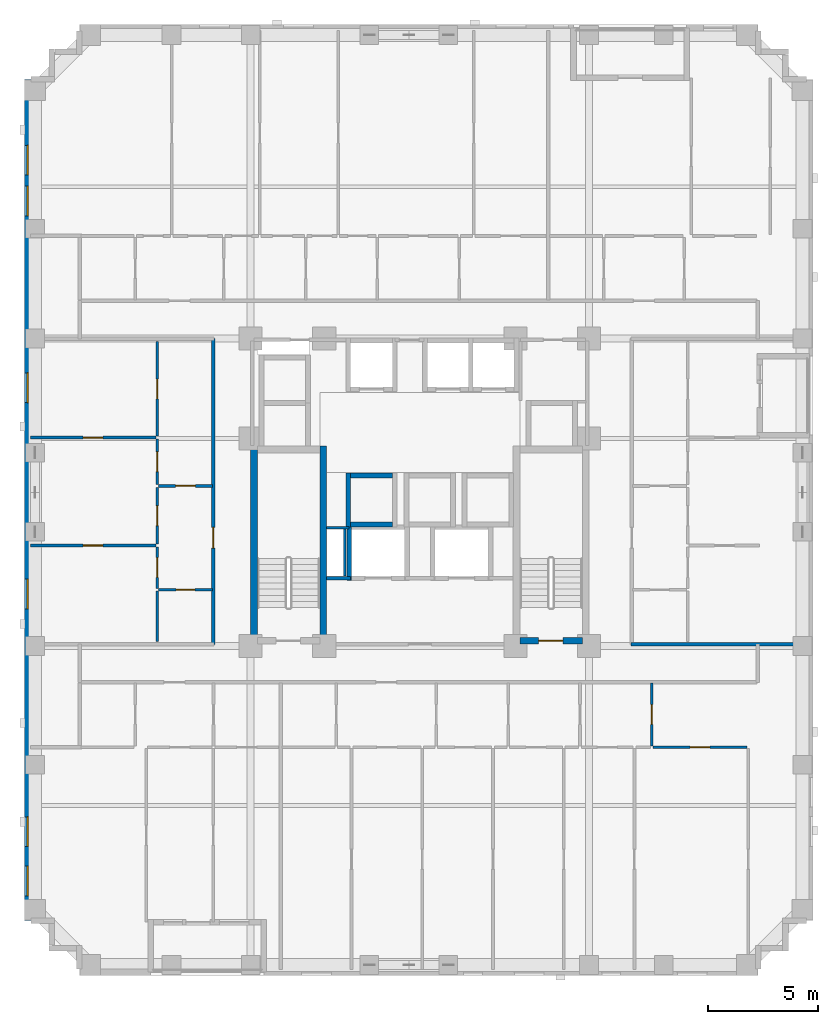
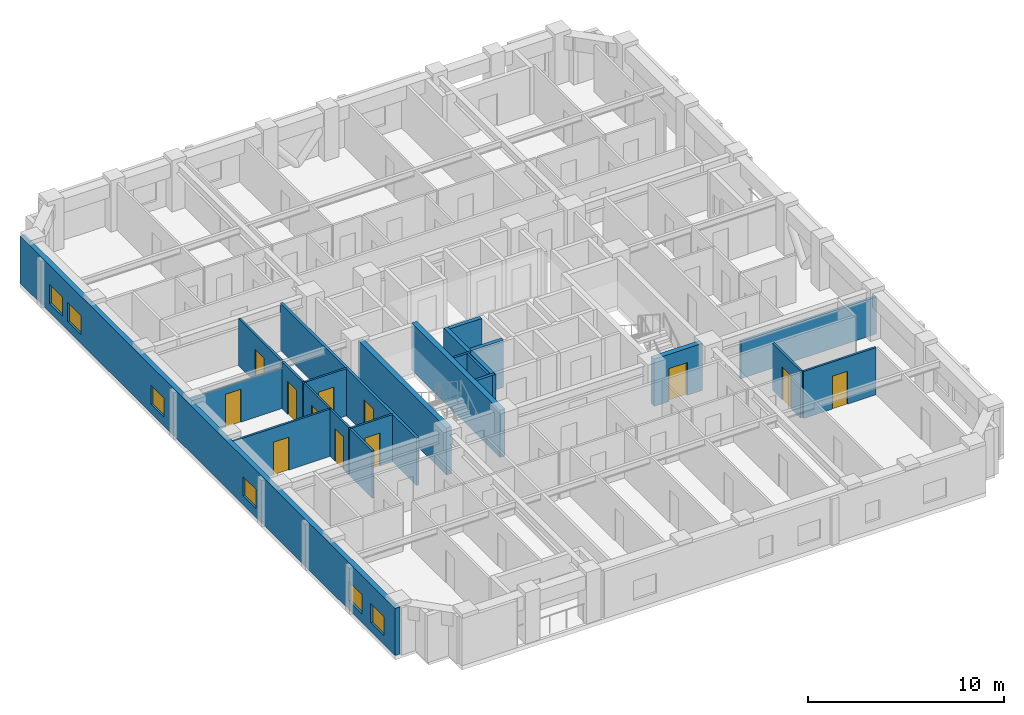
# One storey, part 4 of 12: 24 walls, 12 doors, 6 windows, 18 openings.
"""IFC4 building model written with IfcOpenShell, lengths in metres."""

import ifcopenshell
import ifcopenshell.guid

model = None  # the IFC model being written
_history = None  # IfcOwnerHistory: only IFC2X3 demands one
_inside = {}  # id of a spatial element -> (the spatial element, [elements in it])
_under = {}  # id of a project, library or spatial element -> (it, [spatial elements below it])
_declared = {}  # id of a project -> (the project, [libraries it declares])
_typed = {}  # id of a type object -> (the type object, [elements of that type])
_made_of = {}  # id of a material, layer set ... -> (it, [elements and type objects made of it])


def new_model(schema):
    """Start an empty IFC model of exactly this schema.

    Asked for "IFC4X3", IfcOpenShell would pick the latest addendum, in which some entities
    have other attributes; the version numbers below select the first issue.
    IFC2X3 requires an IfcOwnerHistory on every rooted entity: one is made here for all.
    """
    global model, _history
    if schema == "IFC4X3":
        model = ifcopenshell.file(schema_version=(4, 3, 0, 0))
    else:
        model = ifcopenshell.file(schema=schema)
    _inside.clear()
    _under.clear()
    _declared.clear()
    _typed.clear()
    _made_of.clear()
    _history = None
    if model.schema == "IFC2X3":
        org = make("IfcOrganization", Name="unknown")
        user = make(
            "IfcPersonAndOrganization",
            ThePerson=make("IfcPerson", FamilyName="unknown"),
            TheOrganization=org,
        )
        app = make(
            "IfcApplication",
            ApplicationDeveloper=org,
            Version="unknown",
            ApplicationFullName="unknown",
            ApplicationIdentifier="unknown",
        )
        _history = make(
            "IfcOwnerHistory",
            OwningUser=user,
            OwningApplication=app,
            ChangeAction="ADDED",
            CreationDate=0,
        )
    return model


def make(cls, **values):
    """One entity of the class cls with the attributes given. An attribute that is None is left unset."""
    return model.create_entity(
        cls, **{name: value for name, value in values.items() if value is not None}
    )


def rooted(cls, **values):
    """An entity with a GlobalId (a new one), such as an element, a storey or a relation."""
    return make(cls, GlobalId=ifcopenshell.guid.new(), OwnerHistory=_history, **values)


def si_unit(unit_type, name, prefix=None):
    """IfcSIUnit, for example si_unit("LENGTHUNIT", "METRE", prefix="MILLI")."""
    return make("IfcSIUnit", UnitType=unit_type, Prefix=prefix, Name=name)


def derived_unit(unit_type, elements):
    """IfcDerivedUnit: a product of units, each with its exponent."""
    return make(
        "IfcDerivedUnit",
        Elements=[
            make("IfcDerivedUnitElement", Unit=unit, Exponent=power)
            for unit, power in elements
        ],
        UnitType=unit_type,
    )


def assignment(units):
    """IfcUnitAssignment: the units of a project."""
    return None if units is None else make("IfcUnitAssignment", Units=units)


def point(xyz):
    """IfcCartesianPoint."""
    return None if xyz is None else make("IfcCartesianPoint", Coordinates=xyz)


def direction(xyz):
    """IfcDirection."""
    return None if xyz is None else make("IfcDirection", DirectionRatios=xyz)


def frame(location, z_axis=None, x_axis=None):
    """IfcAxis2Placement3D, a coordinate frame: its origin and axes. An axis left out is left unset."""
    return make(
        "IfcAxis2Placement3D",
        Location=point(location),
        Axis=direction(z_axis),
        RefDirection=direction(x_axis),
    )


def frame_2d(location, x_axis=None):
    """IfcAxis2Placement2D, a coordinate frame in the plane: its origin and x axis."""
    return make(
        "IfcAxis2Placement2D", Location=point(location), RefDirection=direction(x_axis)
    )


def origin():
    """The frame at (0, 0, 0) with its axes left unset."""
    return frame((0.0, 0.0, 0.0))


def place(relative_to, where):
    """IfcLocalPlacement: puts the frame where relative to a parent placement (None: the world)."""
    return make(
        "IfcLocalPlacement", PlacementRelTo=relative_to, RelativePlacement=where
    )


def context(
    kind, dimensions, precision=None, world=None, true_north=None, identifier=None
):
    """IfcGeometricRepresentationContext, for example the 3D "Model" context."""
    return make(
        "IfcGeometricRepresentationContext",
        ContextIdentifier=identifier,
        ContextType=kind,
        CoordinateSpaceDimension=dimensions,
        Precision=precision,
        WorldCoordinateSystem=world,
        TrueNorth=true_north,
    )


def subcontext(parent, identifier, kind, view, scale=None):
    """IfcGeometricRepresentationSubContext, for example "Body" below "Model"."""
    return make(
        "IfcGeometricRepresentationSubContext",
        ContextIdentifier=identifier,
        ContextType=kind,
        ParentContext=parent,
        TargetScale=scale,
        TargetView=view,
    )


def project(units=None, contexts=None):
    """IfcProject with its units and contexts."""
    return rooted(
        "IfcProject",
        Name="project",
        RepresentationContexts=contexts,
        UnitsInContext=assignment(units),
    )


def spatial(cls, under=None, at=None, **own):
    """A site, building, storey or space (cls), placed at a placement, below another one or the project."""
    s = rooted(cls, ObjectPlacement=at, **own)
    if under is not None:
        _under.setdefault(under.id(), (under, []))[1].append(s)
    return s


def profile(cls, at=None, kind="AREA", **sizes):
    """A parametric profile (cls). Its sizes go by their IFC names, for example OverallWidth=200.0."""
    return make(cls, ProfileType=kind, Position=at, **sizes)


def rectangle(**sizes):
    """IfcRectangleProfileDef."""
    return profile("IfcRectangleProfileDef", **sizes)


def extrude(swept, where, along, depth):
    """IfcExtrudedAreaSolid: the profile swept, set in the frame where, extruded along a direction by depth."""
    return make(
        "IfcExtrudedAreaSolid",
        SweptArea=swept,
        Position=where,
        ExtrudedDirection=direction(along),
        Depth=depth,
    )


def shape(context_of_items, identifier, shape_type, items):
    """IfcShapeRepresentation: the items that make up one representation, for example the "Body"."""
    return make(
        "IfcShapeRepresentation",
        ContextOfItems=context_of_items,
        RepresentationIdentifier=identifier,
        RepresentationType=shape_type,
        Items=items,
    )


def material(Name=None, Category=None):
    """IfcMaterial."""
    return make("IfcMaterial", Name=Name, Category=Category)


def layer(
    of_material, thickness, ventilated=None, Name=None, Category=None, Priority=None
):
    """IfcMaterialLayer: one layer of a wall or slab, of a material (None: an air gap)."""
    return make(
        "IfcMaterialLayer",
        Material=of_material,
        LayerThickness=thickness,
        IsVentilated=ventilated,
        Name=Name,
        Category=Category,
        Priority=Priority,
    )


def layer_set(layers, Name=None):
    """IfcMaterialLayerSet."""
    return make("IfcMaterialLayerSet", MaterialLayers=layers, LayerSetName=Name)


def made_of(thing, what):
    """Note that an element or type object is made of a material, layer set ...; save() writes the relation."""
    if what is not None:
        _made_of.setdefault(what.id(), (what, []))[1].append(thing)
    return thing


def type_object(cls, material=None, **own):
    """A type object (cls), such as IfcWallType, which elements share."""
    return made_of(rooted(cls, **own), material)


def element(
    cls,
    number,
    at=None,
    inside=None,
    cuts=None,
    type_object=None,
    material=None,
    context=None,
    identifier="Body",
    shape_type=None,
    held_by="IfcProductDefinitionShape",
    body=None,
    shapes=None,
    **own,
):
    """One element of the class cls, such as IfcWall. Its Tag is "e" and its number.

    at: its placement. inside: the storey or other place that contains it. cuts: it is an
    opening in that element (IfcRelVoidsElement). A single representation is given by context,
    identifier, shape_type and body (its items); several are given by shapes. held_by: the class
    of the entity that holds the representations. save() writes the other relations.
    """
    e = rooted(cls, Tag="e%d" % number, ObjectPlacement=at, **own)
    if body is not None:
        shapes = [shape(context, identifier, shape_type, body)]
    if shapes is not None:
        e.Representation = make(held_by, Representations=shapes)
    if inside is not None:
        _inside.setdefault(inside.id(), (inside, []))[1].append(e)
    if cuts is not None:
        rooted(
            "IfcRelVoidsElement", RelatingBuildingElement=cuts, RelatedOpeningElement=e
        )
    if type_object is not None:
        _typed.setdefault(type_object.id(), (type_object, []))[1].append(e)
    return made_of(e, material)


def fill(opening, filler):
    """IfcRelFillsElement: the door or window that sits in an opening."""
    return rooted(
        "IfcRelFillsElement",
        RelatingOpeningElement=opening,
        RelatedBuildingElement=filler,
    )


def aggregate(whole, parts):
    """IfcRelAggregates: a whole, such as a stair, and the parts it consists of."""
    return rooted("IfcRelAggregates", RelatingObject=whole, RelatedObjects=parts)


def save(model, path):
    """Write the relations noted so far, then the file.

    IfcRelAggregates (storeys below a building ...), IfcRelContainedInSpatialStructure (elements
    in a storey), IfcRelDefinesByType, IfcRelAssociatesMaterial and IfcRelDeclares: one each for
    every whole, place, type object, material and project.
    """
    for whole, parts in _under.values():
        aggregate(whole, parts)
    for where, things in _inside.values():
        rooted(
            "IfcRelContainedInSpatialStructure",
            RelatedElements=things,
            RelatingStructure=where,
        )
    for kind, things in _typed.values():
        rooted("IfcRelDefinesByType", RelatedObjects=things, RelatingType=kind)
    for what, things in _made_of.values():
        rooted("IfcRelAssociatesMaterial", RelatedObjects=things, RelatingMaterial=what)
    for by, libraries in _declared.values():
        rooted("IfcRelDeclares", RelatingContext=by, RelatedDefinitions=libraries)
    model.write(path)


model = new_model("IFC4")

# Units and contexts
model_context = context("Model", 3, precision=1e-05, world=origin(), true_north=direction((0.0, 1.0)))
body_context = subcontext(model_context, "Body", "Model", "MODEL_VIEW")
ifc_project = project(units=[si_unit("LENGTHUNIT", "METRE"), si_unit("AREAUNIT", "SQUARE_METRE"), si_unit("VOLUMEUNIT", "CUBIC_METRE"), si_unit("PLANEANGLEUNIT", "RADIAN"), si_unit("MASSUNIT", "GRAM", prefix="KILO"), derived_unit("THERMALTRANSMITTANCEUNIT", [(si_unit("MASSUNIT", "GRAM", prefix="KILO"), 1), (si_unit("TIMEUNIT", "SECOND"), -3), (si_unit("THERMODYNAMICTEMPERATUREUNIT", "KELVIN"), -1)])], contexts=[model_context])

# Site, building, storey
site_placement = place(None, origin())
site = spatial("IfcSite", under=ifc_project, at=site_placement, CompositionType="ELEMENT")
building_placement = place(site_placement, origin())
building = spatial("IfcBuilding", under=site, at=building_placement, Name="Korrvale Station Residences", CompositionType="ELEMENT")
storey_placement = place(building_placement, frame((0.0, 0.0, 84.699951171875)))
storey = spatial("IfcBuildingStorey", under=building, at=storey_placement, Name="L23", CompositionType="ELEMENT", Elevation=84.699951171875)

# Walls
ifc_material_1 = material(Name="Concrete C60/75", Category="concrete")
ifc_layer_1 = layer(ifc_material_1, 0.300048828125, Name="Concrete C60/75")
ifc_layer_set_1 = layer_set([ifc_layer_1], Name="Concrete C60/75")
wall_type_1 = type_object("IfcWallType", Name="WAL-CORE-300-C60", PredefinedType="SHEAR", material=ifc_layer_set_1)
for number, where, z_axis, x_axis, name in (
    (1, (17.949951171875, 15.10009765625, 0.0), (0.0, 0.0, 1.0), (0.0, 1.0, 0.0), "L23 ST-1 Core Shear Wall West"),
    (2, (21.10009765625, 15.10009765625, 0.0), (0.0, 0.0, 1.0), (0.0, 1.0, 0.0), "L23 ST-1 Core Shear Wall East"),
):
    element("IfcWall", number, at=place(storey_placement, frame(where, z_axis=z_axis, x_axis=x_axis)), inside=storey, type_object=wall_type_1, Name=name, PredefinedType="SHEAR", context=body_context, shape_type="SweptSolid", body=[
        extrude(rectangle(XDim=9.0, YDim=0.300048828125, at=frame_2d((4.5, 0.0))), origin(), (0.0, 0.0, 1.0), 2.93994140625),
    ])

# Wall, opening, door
wall_1_placement = place(storey_placement, frame((30.050048828125, 15.25, 0.0), z_axis=(0.0, 0.0, 1.0), x_axis=(1.0, 0.0, 0.0)))
wall_1 = element("IfcWall", 3, at=wall_1_placement, inside=storey, type_object=wall_type_1, Name="L23 ST-2 Core Shear Wall South", PredefinedType="SHEAR", context=body_context, shape_type="SweptSolid", body=[
    extrude(rectangle(XDim=2.849853515625, YDim=0.300048828125, at=frame_2d((1.4248046875, 0.0))), origin(), (0.0, 0.0, 1.0), 2.93994140625),
])
opening_1_placement = place(wall_1_placement, frame((0.860107421875, 0.0, 0.0)))
opening_1 = element("IfcOpeningElement", 4, at=opening_1_placement, cuts=wall_1, Name="Opening SD-1100", PredefinedType="OPENING", context=body_context, shape_type="SweptSolid", body=[
    extrude(rectangle(XDim=1.10009765625, YDim=2.050048828125, at=frame_2d((0.550048828125, 1.02490234375))), frame((0.0, 0.16015625, 0.0), z_axis=(0.0, -1.0, 0.0), x_axis=(1.0, 0.0, 0.0)), (0.0, 0.0, 1.0), 0.320068359375),
])
ifc_material_2 = material(Name="Hollow-metal fire-rated stair door with closer", Category="steel")
door_type_1 = type_object("IfcDoorType", Name="DR-STAIR-1100", OperationType="NOTDEFINED", PredefinedType="DOOR", material=ifc_material_2)
door_1_placement = place(opening_1_placement, origin())
door_1 = element("IfcDoor", 5, at=door_1_placement, inside=storey, type_object=door_type_1, Name="L23 ST-2 Exit Stair Door", OperationType="SINGLE_SWING_RIGHT", OverallHeight=2.050048828125, OverallWidth=1.10009765625, PredefinedType="DOOR", context=body_context, shape_type="SweptSolid", body=[
    extrude(rectangle(XDim=1.10009765625, YDim=2.050048828125, at=frame_2d((0.550048828125, 1.02490234375))), frame((0.0, 0.02490234375, 0.0), z_axis=(0.0, -1.0, 0.0), x_axis=(1.0, 0.0, 0.0)), (0.0, 0.0, 1.0), 0.050048828125),
])
fill(opening_1, door_1)

# Wall, openings, windows
ifc_material_3 = material(Name="Precast concrete C45/55", Category="concrete")
ifc_layer_2 = layer(ifc_material_3, 0.300048828125, Name="Precast concrete C45/55")
ifc_layer_set_2 = layer_set([ifc_layer_2], Name="Precast concrete C45/55")
wall_type_2 = type_object("IfcWallType", Name="WAL-EXT-PC300", PredefinedType="SOLIDWALL", material=ifc_layer_set_2)
wall_2_placement = place(storey_placement, frame((7.64990234375, 2.5, 0.0), z_axis=(0.0, 0.0, 1.0), x_axis=(0.0, 1.0, 0.0)))
wall_2 = element("IfcWall", 6, at=wall_2_placement, inside=storey, type_object=wall_type_2, Name="L23 West Exterior Precast Wall 1", PredefinedType="SOLIDWALL", context=body_context, shape_type="SweptSolid", body=[
    extrude(rectangle(XDim=38.300048828125, YDim=0.300048828125, at=frame_2d((19.14990234375, 0.0))), origin(), (0.0, 0.0, 1.0), 2.93994140625),
])
opening_2_placement = place(wall_2_placement, frame((3.3798828125, 0.0, 0.550048828125)))
opening_2 = element("IfcOpeningElement", 7, at=opening_2_placement, cuts=wall_2, Name="Opening W-10", PredefinedType="OPENING", context=body_context, shape_type="SweptSolid", body=[
    extrude(rectangle(XDim=1.35009765625, YDim=1.199951171875, at=frame_2d((0.675048828125, 0.60009765625))), frame((0.0, 0.16015625, 0.0), z_axis=(0.0, -1.0, 0.0), x_axis=(1.0, 0.0, 0.0)), (0.0, 0.0, 1.0), 0.320068359375),
])
opening_3_placement = place(wall_2_placement, frame((1.135009765625, 0.0, 0.550048828125)))
opening_3 = element("IfcOpeningElement", 8, at=opening_3_placement, cuts=wall_2, Name="Opening W-10", PredefinedType="OPENING", context=body_context, shape_type="SweptSolid", body=[
    extrude(rectangle(XDim=1.35009765625, YDim=1.199951171875, at=frame_2d((0.675048828125, 0.60009765625))), frame((0.0, 0.16015625, 0.0), z_axis=(0.0, -1.0, 0.0), x_axis=(1.0, 0.0, 0.0)), (0.0, 0.0, 1.0), 0.320068359375),
])
opening_4_placement = place(wall_2_placement, frame((33.946044921875, 0.0, 0.550048828125)))
opening_4 = element("IfcOpeningElement", 9, at=opening_4_placement, cuts=wall_2, Name="Opening W-10", PredefinedType="OPENING", context=body_context, shape_type="SweptSolid", body=[
    extrude(rectangle(XDim=1.35009765625, YDim=1.199951171875, at=frame_2d((0.675048828125, 0.60009765625))), frame((0.0, 0.16015625, 0.0), z_axis=(0.0, -1.0, 0.0), x_axis=(1.0, 0.0, 0.0)), (0.0, 0.0, 1.0), 0.320068359375),
])
opening_5_placement = place(wall_2_placement, frame((32.0849609375, 0.0, 0.550048828125)))
opening_5 = element("IfcOpeningElement", 10, at=opening_5_placement, cuts=wall_2, Name="Opening W-10", PredefinedType="OPENING", context=body_context, shape_type="SweptSolid", body=[
    extrude(rectangle(XDim=1.35009765625, YDim=1.199951171875, at=frame_2d((0.675048828125, 0.60009765625))), frame((0.0, 0.16015625, 0.0), z_axis=(0.0, -1.0, 0.0), x_axis=(1.0, 0.0, 0.0)), (0.0, 0.0, 1.0), 0.320068359375),
])
opening_6_placement = place(wall_2_placement, frame((14.194091796875, 0.0, 0.550048828125)))
opening_6 = element("IfcOpeningElement", 11, at=opening_6_placement, cuts=wall_2, Name="Opening W-10", PredefinedType="OPENING", context=body_context, shape_type="SweptSolid", body=[
    extrude(rectangle(XDim=1.35009765625, YDim=1.199951171875, at=frame_2d((0.675048828125, 0.60009765625))), frame((0.0, 0.16015625, 0.0), z_axis=(0.0, -1.0, 0.0), x_axis=(1.0, 0.0, 0.0)), (0.0, 0.0, 1.0), 0.320068359375),
])
opening_7_placement = place(wall_2_placement, frame((23.58203125, 0.0, 0.550048828125)))
opening_7 = element("IfcOpeningElement", 12, at=opening_7_placement, cuts=wall_2, Name="Opening W-10", PredefinedType="OPENING", context=body_context, shape_type="SweptSolid", body=[
    extrude(rectangle(XDim=1.35009765625, YDim=1.199951171875, at=frame_2d((0.675048828125, 0.60009765625))), frame((0.0, 0.16015625, 0.0), z_axis=(0.0, -1.0, 0.0), x_axis=(1.0, 0.0, 0.0)), (0.0, 0.0, 1.0), 0.320068359375),
])
ifc_material_4 = material(Name="Thermally broken aluminium frame with triple low-e glazing", Category="aluminium")
window_type = type_object("IfcWindowType", Name="WIN-W10", PartitioningType="SINGLE_PANEL", PredefinedType="WINDOW", material=ifc_material_4)
window_1_placement = place(opening_2_placement, origin())
window_1 = element("IfcWindow", 13, at=window_1_placement, inside=storey, type_object=window_type, Name="L23 Punched Window 01", OverallHeight=1.199951171875, OverallWidth=1.35009765625, PartitioningType="SINGLE_PANEL", PredefinedType="WINDOW", context=body_context, shape_type="SweptSolid", body=[
    extrude(rectangle(XDim=1.35009765625, YDim=1.199951171875, at=frame_2d((0.675048828125, 0.60009765625))), frame((0.0, 0.030029296875, 0.0), z_axis=(0.0, -1.0, 0.0), x_axis=(1.0, 0.0, 0.0)), (0.0, 0.0, 1.0), 0.06005859375),
])
fill(opening_2, window_1)
window_2_placement = place(opening_3_placement, origin())
window_2 = element("IfcWindow", 14, at=window_2_placement, inside=storey, type_object=window_type, Name="L23 Punched Window 02", OverallHeight=1.199951171875, OverallWidth=1.35009765625, PartitioningType="SINGLE_PANEL", PredefinedType="WINDOW", context=body_context, shape_type="SweptSolid", body=[
    extrude(rectangle(XDim=1.35009765625, YDim=1.199951171875, at=frame_2d((0.675048828125, 0.60009765625))), frame((0.0, 0.030029296875, 0.0), z_axis=(0.0, -1.0, 0.0), x_axis=(1.0, 0.0, 0.0)), (0.0, 0.0, 1.0), 0.06005859375),
])
fill(opening_3, window_2)
window_3_placement = place(opening_4_placement, origin())
window_3 = element("IfcWindow", 15, at=window_3_placement, inside=storey, type_object=window_type, Name="L23 Punched Window 12", OverallHeight=1.199951171875, OverallWidth=1.35009765625, PartitioningType="SINGLE_PANEL", PredefinedType="WINDOW", context=body_context, shape_type="SweptSolid", body=[
    extrude(rectangle(XDim=1.35009765625, YDim=1.199951171875, at=frame_2d((0.675048828125, 0.60009765625))), frame((0.0, 0.030029296875, 0.0), z_axis=(0.0, -1.0, 0.0), x_axis=(1.0, 0.0, 0.0)), (0.0, 0.0, 1.0), 0.06005859375),
])
fill(opening_4, window_3)
window_4_placement = place(opening_5_placement, origin())
window_4 = element("IfcWindow", 16, at=window_4_placement, inside=storey, type_object=window_type, Name="L23 Punched Window 13", OverallHeight=1.199951171875, OverallWidth=1.35009765625, PartitioningType="SINGLE_PANEL", PredefinedType="WINDOW", context=body_context, shape_type="SweptSolid", body=[
    extrude(rectangle(XDim=1.35009765625, YDim=1.199951171875, at=frame_2d((0.675048828125, 0.60009765625))), frame((0.0, 0.030029296875, 0.0), z_axis=(0.0, -1.0, 0.0), x_axis=(1.0, 0.0, 0.0)), (0.0, 0.0, 1.0), 0.06005859375),
])
fill(opening_5, window_4)
window_5_placement = place(opening_6_placement, origin())
window_5 = element("IfcWindow", 17, at=window_5_placement, inside=storey, type_object=window_type, Name="L23 Punched Window 19", OverallHeight=1.199951171875, OverallWidth=1.35009765625, PartitioningType="SINGLE_PANEL", PredefinedType="WINDOW", context=body_context, shape_type="SweptSolid", body=[
    extrude(rectangle(XDim=1.35009765625, YDim=1.199951171875, at=frame_2d((0.675048828125, 0.60009765625))), frame((0.0, 0.030029296875, 0.0), z_axis=(0.0, -1.0, 0.0), x_axis=(1.0, 0.0, 0.0)), (0.0, 0.0, 1.0), 0.06005859375),
])
fill(opening_6, window_5)
window_6_placement = place(opening_7_placement, origin())
window_6 = element("IfcWindow", 18, at=window_6_placement, inside=storey, type_object=window_type, Name="L23 Punched Window 20", OverallHeight=1.199951171875, OverallWidth=1.35009765625, PartitioningType="SINGLE_PANEL", PredefinedType="WINDOW", context=body_context, shape_type="SweptSolid", body=[
    extrude(rectangle(XDim=1.35009765625, YDim=1.199951171875, at=frame_2d((0.675048828125, 0.60009765625))), frame((0.0, 0.030029296875, 0.0), z_axis=(0.0, -1.0, 0.0), x_axis=(1.0, 0.0, 0.0)), (0.0, 0.0, 1.0), 0.06005859375),
])
fill(opening_7, window_6)

# Walls
ifc_material_5 = material(Name="Acoustic steel-stud gypsum board partition", Category="steel")
ifc_layer_3 = layer(ifc_material_5, 0.1201171875, Name="Acoustic steel-stud gypsum board partition")
ifc_layer_set_3 = layer_set([ifc_layer_3], Name="Acoustic steel-stud gypsum board partition")
wall_type_3 = type_object("IfcWallType", Name="WAL-PART-125", PredefinedType="PARTITIONING", material=ifc_layer_set_3)
wall_3_placement = place(storey_placement, frame((22.080078125, 18.199951171875, 0.0), z_axis=(0.0, 0.0, 1.0), x_axis=(0.0, 1.0, 0.0)))
element("IfcWall", 19, at=wall_3_placement, inside=storey, type_object=wall_type_3, Name="L23 Core Partition CW-RSWT", PredefinedType="PARTITIONING", context=body_context, shape_type="SweptSolid", body=[
    extrude(rectangle(XDim=2.1201171875, YDim=0.1201171875, at=frame_2d((1.06005859375, 0.0))), origin(), (0.0, 0.0, 1.0), 2.93994140625),
])
wall_4_placement = place(storey_placement, frame((22.280029296875, 20.3798828125, 0.0), z_axis=(0.0, 0.0, 1.0), x_axis=(-1.0, 0.0, 0.0)))
element("IfcWall", 20, at=wall_4_placement, inside=storey, type_object=wall_type_3, Name="L23 Core Partition CW-RSWT-N", PredefinedType="PARTITIONING", context=body_context, shape_type="SweptSolid", body=[
    extrude(rectangle(XDim=1.02001953125, YDim=0.1201171875, at=frame_2d((0.510009765625, 0.0))), origin(), (0.0, 0.0, 1.0), 2.93994140625),
])

# Wall, opening, door
wall_5_placement = place(storey_placement, frame((36.06005859375, 10.4599609375, 0.0), z_axis=(0.0, 0.0, 1.0), x_axis=(0.0, 1.0, 0.0)))
wall_5 = element("IfcWall", 21, at=wall_5_placement, inside=storey, type_object=wall_type_3, Name="L23 Suite Partition U02-V45", PredefinedType="PARTITIONING", context=body_context, shape_type="SweptSolid", body=[
    extrude(rectangle(XDim=2.85009765625, YDim=0.1201171875, at=frame_2d((1.425048828125, 0.0))), origin(), (0.0, 0.0, 1.0), 2.93994140625),
])
opening_8_placement = place(wall_5_placement, frame((0.97509765625, 0.0, 0.0)))
opening_8 = element("IfcOpeningElement", 22, at=opening_8_placement, cuts=wall_5, Name="Opening DI-900", PredefinedType="OPENING", context=body_context, shape_type="SweptSolid", body=[
    extrude(rectangle(XDim=0.89990234375, YDim=2.050048828125, at=frame_2d((0.449951171875, 1.02490234375))), frame((0.0, 0.070068359375, 0.0), z_axis=(0.0, -1.0, 0.0), x_axis=(1.0, 0.0, 0.0)), (0.0, 0.0, 1.0), 0.14013671875),
])
ifc_material_6 = material(Name="Painted solid-core timber interior room door", Category="wood")
door_type_2 = type_object("IfcDoorType", Name="DR-INT-900", OperationType="NOTDEFINED", PredefinedType="DOOR", material=ifc_material_6)
door_2_placement = place(opening_8_placement, origin())
door_2 = element("IfcDoor", 23, at=door_2_placement, inside=storey, type_object=door_type_2, Name="L23 Studio Apartment L23-U02 Utility and Laundry Room Door", OperationType="SINGLE_SWING_LEFT", OverallHeight=2.050048828125, OverallWidth=0.89990234375, PredefinedType="DOOR", context=body_context, shape_type="SweptSolid", body=[
    extrude(rectangle(XDim=0.89990234375, YDim=2.050048828125, at=frame_2d((0.449951171875, 1.02490234375))), frame((0.0, 0.02490234375, 0.0), z_axis=(0.0, -1.0, 0.0), x_axis=(1.0, 0.0, 0.0)), (0.0, 0.0, 1.0), 0.050048828125),
])
fill(opening_8, door_2)

wall_6_placement = place(storey_placement, frame((36.1201171875, 10.39990234375, 0.0), z_axis=(0.0, 0.0, 1.0), x_axis=(1.0, 0.0, 0.0)))
wall_6 = element("IfcWall", 24, at=wall_6_placement, inside=storey, type_object=wall_type_3, Name="L23 Suite Partition U02-H511", PredefinedType="PARTITIONING", context=body_context, shape_type="SweptSolid", body=[
    extrude(rectangle(XDim=4.269775390625, YDim=0.1201171875, at=frame_2d((2.134765625, 0.0))), origin(), (0.0, 0.0, 1.0), 2.93994140625),
])
opening_9_placement = place(wall_6_placement, frame((1.68505859375, 0.0, 0.0)))
opening_9 = element("IfcOpeningElement", 25, at=opening_9_placement, cuts=wall_6, Name="Opening DI-900", PredefinedType="OPENING", context=body_context, shape_type="SweptSolid", body=[
    extrude(rectangle(XDim=0.89990234375, YDim=2.050048828125, at=frame_2d((0.449951171875, 1.02490234375))), frame((0.0, 0.070068359375, 0.0), z_axis=(0.0, -1.0, 0.0), x_axis=(1.0, 0.0, 0.0)), (0.0, 0.0, 1.0), 0.14013671875),
])
door_3_placement = place(opening_9_placement, origin())
door_3 = element("IfcDoor", 26, at=door_3_placement, inside=storey, type_object=door_type_2, Name="L23 Studio Apartment L23-U02 Storage Closet 2 Door", OperationType="SINGLE_SWING_LEFT", OverallHeight=2.050048828125, OverallWidth=0.89990234375, PredefinedType="DOOR", context=body_context, shape_type="SweptSolid", body=[
    extrude(rectangle(XDim=0.89990234375, YDim=2.050048828125, at=frame_2d((0.449951171875, 1.02490234375))), frame((0.0, 0.02490234375, 0.0), z_axis=(0.0, -1.0, 0.0), x_axis=(1.0, 0.0, 0.0)), (0.0, 0.0, 1.0), 0.050048828125),
])
fill(opening_9, door_3)

wall_7_placement = place(storey_placement, frame((13.610107421875, 22.2900390625, 0.0), z_axis=(0.0, 0.0, 1.0), x_axis=(1.0, 0.0, 0.0)))
wall_7 = element("IfcWall", 27, at=wall_7_placement, inside=storey, type_object=wall_type_3, Name="L23 Suite Partition U05-H02", PredefinedType="PARTITIONING", context=body_context, shape_type="SweptSolid", body=[
    extrude(rectangle(XDim=2.449951171875, YDim=0.1201171875, at=frame_2d((1.22509765625, 0.0))), origin(), (0.0, 0.0, 1.0), 2.93994140625),
])
opening_10_placement = place(wall_7_placement, frame((0.77490234375, 0.0, 0.0)))
opening_10 = element("IfcOpeningElement", 28, at=opening_10_placement, cuts=wall_7, Name="Opening DI-900", PredefinedType="OPENING", context=body_context, shape_type="SweptSolid", body=[
    extrude(rectangle(XDim=0.89990234375, YDim=2.050048828125, at=frame_2d((0.449951171875, 1.02490234375))), frame((0.0, 0.070068359375, 0.0), z_axis=(0.0, -1.0, 0.0), x_axis=(1.0, 0.0, 0.0)), (0.0, 0.0, 1.0), 0.14013671875),
])
door_4_placement = place(opening_10_placement, origin())
door_4 = element("IfcDoor", 29, at=door_4_placement, inside=storey, type_object=door_type_2, Name="L23 Apartment 2BR L23-U05 Wardrobe Storage Room Door", OperationType="SINGLE_SWING_LEFT", OverallHeight=2.050048828125, OverallWidth=0.89990234375, PredefinedType="DOOR", context=body_context, shape_type="SweptSolid", body=[
    extrude(rectangle(XDim=0.89990234375, YDim=2.050048828125, at=frame_2d((0.449951171875, 1.02490234375))), frame((0.0, 0.02490234375, 0.0), z_axis=(0.0, -1.0, 0.0), x_axis=(1.0, 0.0, 0.0)), (0.0, 0.0, 1.0), 0.050048828125),
])
fill(opening_10, door_4)

wall_8_placement = place(storey_placement, frame((13.550048828125, 22.35009765625, 0.0), z_axis=(0.0, 0.0, 1.0), x_axis=(0.0, 1.0, 0.0)))
wall_8 = element("IfcWall", 30, at=wall_8_placement, inside=storey, type_object=wall_type_3, Name="L23 Suite Partition U05-V04", PredefinedType="PARTITIONING", context=body_context, shape_type="SweptSolid", body=[
    extrude(rectangle(XDim=2.081787109375, YDim=0.1201171875, at=frame_2d((1.041015625, 0.0))), origin(), (0.0, 0.0, 1.0), 2.93994140625),
])
opening_11_placement = place(wall_8_placement, frame((0.591064453125, 0.0, 0.0)))
opening_11 = element("IfcOpeningElement", 31, at=opening_11_placement, cuts=wall_8, Name="Opening DI-900", PredefinedType="OPENING", context=body_context, shape_type="SweptSolid", body=[
    extrude(rectangle(XDim=0.89990234375, YDim=2.050048828125, at=frame_2d((0.449951171875, 1.02490234375))), frame((0.0, 0.070068359375, 0.0), z_axis=(0.0, -1.0, 0.0), x_axis=(1.0, 0.0, 0.0)), (0.0, 0.0, 1.0), 0.14013671875),
])
door_5_placement = place(opening_11_placement, origin())
door_5 = element("IfcDoor", 32, at=door_5_placement, inside=storey, type_object=door_type_2, Name="L23 Apartment 2BR L23-U05 Wardrobe Storage Room Door", OperationType="SINGLE_SWING_RIGHT", OverallHeight=2.050048828125, OverallWidth=0.89990234375, PredefinedType="DOOR", context=body_context, shape_type="SweptSolid", body=[
    extrude(rectangle(XDim=0.89990234375, YDim=2.050048828125, at=frame_2d((0.449951171875, 1.02490234375))), frame((0.0, 0.02490234375, 0.0), z_axis=(0.0, -1.0, 0.0), x_axis=(1.0, 0.0, 0.0)), (0.0, 0.0, 1.0), 0.050048828125),
])
fill(opening_11, door_5)

wall_9_placement = place(storey_placement, frame((13.550048828125, 24.552001953125, 0.0), z_axis=(0.0, 0.0, 1.0), x_axis=(0.0, 1.0, 0.0)))
wall_9 = element("IfcWall", 33, at=wall_9_placement, inside=storey, type_object=wall_type_3, Name="L23 Suite Partition U05-V05", PredefinedType="PARTITIONING", context=body_context, shape_type="SweptSolid", body=[
    extrude(rectangle(XDim=4.30810546875, YDim=0.1201171875, at=frame_2d((2.154052734375, 0.0))), origin(), (0.0, 0.0, 1.0), 2.93994140625),
])
opening_12_placement = place(wall_9_placement, frame((1.7041015625, 0.0, 0.0)))
opening_12 = element("IfcOpeningElement", 34, at=opening_12_placement, cuts=wall_9, Name="Opening DI-900", PredefinedType="OPENING", context=body_context, shape_type="SweptSolid", body=[
    extrude(rectangle(XDim=0.89990234375, YDim=2.050048828125, at=frame_2d((0.449951171875, 1.02490234375))), frame((0.0, 0.070068359375, 0.0), z_axis=(0.0, -1.0, 0.0), x_axis=(1.0, 0.0, 0.0)), (0.0, 0.0, 1.0), 0.14013671875),
])
door_6_placement = place(opening_12_placement, origin())
door_6 = element("IfcDoor", 35, at=door_6_placement, inside=storey, type_object=door_type_2, Name="L23 Apartment 2BR L23-U05 Wardrobe Storage Room Door", OperationType="SINGLE_SWING_LEFT", OverallHeight=2.050048828125, OverallWidth=0.89990234375, PredefinedType="DOOR", context=body_context, shape_type="SweptSolid", body=[
    extrude(rectangle(XDim=0.89990234375, YDim=2.050048828125, at=frame_2d((0.449951171875, 1.02490234375))), frame((0.0, 0.02490234375, 0.0), z_axis=(0.0, -1.0, 0.0), x_axis=(1.0, 0.0, 0.0)), (0.0, 0.0, 1.0), 0.050048828125),
])
fill(opening_12, door_6)

wall_10_placement = place(storey_placement, frame((13.610107421875, 17.570068359375, 0.0), z_axis=(0.0, 0.0, 1.0), x_axis=(1.0, 0.0, 0.0)))
wall_10 = element("IfcWall", 36, at=wall_10_placement, inside=storey, type_object=wall_type_3, Name="L23 Suite Partition U05-H12", PredefinedType="PARTITIONING", context=body_context, shape_type="SweptSolid", body=[
    extrude(rectangle(XDim=2.449951171875, YDim=0.1201171875, at=frame_2d((1.22509765625, 0.0))), origin(), (0.0, 0.0, 1.0), 2.93994140625),
])
opening_13_placement = place(wall_10_placement, frame((0.794921875, 0.0, 0.0)))
opening_13 = element("IfcOpeningElement", 37, at=opening_13_placement, cuts=wall_10, Name="Opening DB-860", PredefinedType="OPENING", context=body_context, shape_type="SweptSolid", body=[
    extrude(rectangle(XDim=0.860107421875, YDim=2.050048828125, at=frame_2d((0.43017578125, 1.02490234375))), frame((0.0, 0.070068359375, 0.0), z_axis=(0.0, -1.0, 0.0), x_axis=(1.0, 0.0, 0.0)), (0.0, 0.0, 1.0), 0.14013671875),
])
ifc_material_7 = material(Name="Moisture-resistant solid-core bathroom door", Category="timber")
door_type_3 = type_object("IfcDoorType", Name="DR-BATH-860", OperationType="NOTDEFINED", PredefinedType="DOOR", material=ifc_material_7)
door_7_placement = place(opening_13_placement, origin())
door_7 = element("IfcDoor", 38, at=door_7_placement, inside=storey, type_object=door_type_3, Name="L23 Apartment 2BR L23-U05 Bathroom Door", OperationType="SINGLE_SWING_RIGHT", OverallHeight=2.050048828125, OverallWidth=0.860107421875, PredefinedType="DOOR", context=body_context, shape_type="SweptSolid", body=[
    extrude(rectangle(XDim=0.860107421875, YDim=2.050048828125, at=frame_2d((0.43017578125, 1.02490234375))), frame((0.0, 0.02490234375, 0.0), z_axis=(0.0, -1.0, 0.0), x_axis=(1.0, 0.0, 0.0)), (0.0, 0.0, 1.0), 0.050048828125),
])
fill(opening_13, door_7)

# Wall
wall_11_placement = place(storey_placement, frame((13.550048828125, 15.2099609375, 0.0), z_axis=(0.0, 0.0, 1.0), x_axis=(0.0, 1.0, 0.0)))
element("IfcWall", 39, at=wall_11_placement, inside=storey, type_object=wall_type_3, Name="L23 Suite Partition U05-V13", PredefinedType="PARTITIONING", context=body_context, shape_type="SweptSolid", body=[
    extrude(rectangle(XDim=2.300048828125, YDim=0.1201171875, at=frame_2d((1.14990234375, 0.0))), origin(), (0.0, 0.0, 1.0), 2.93994140625),
])

# Wall, opening, door
wall_12_placement = place(storey_placement, frame((13.550048828125, 17.6298828125, 0.0), z_axis=(0.0, 0.0, 1.0), x_axis=(0.0, 1.0, 0.0)))
wall_12 = element("IfcWall", 40, at=wall_12_placement, inside=storey, type_object=wall_type_3, Name="L23 Suite Partition U05-V23", PredefinedType="PARTITIONING", context=body_context, shape_type="SweptSolid", body=[
    extrude(rectangle(XDim=1.88818359375, YDim=0.1201171875, at=frame_2d((0.944091796875, 0.0))), origin(), (0.0, 0.0, 1.0), 2.93994140625),
])
opening_14_placement = place(wall_12_placement, frame((0.493896484375, 0.0, 0.0)))
opening_14 = element("IfcOpeningElement", 41, at=opening_14_placement, cuts=wall_12, Name="Opening DI-900", PredefinedType="OPENING", context=body_context, shape_type="SweptSolid", body=[
    extrude(rectangle(XDim=0.89990234375, YDim=2.050048828125, at=frame_2d((0.449951171875, 1.02490234375))), frame((0.0, 0.070068359375, 0.0), z_axis=(0.0, -1.0, 0.0), x_axis=(1.0, 0.0, 0.0)), (0.0, 0.0, 1.0), 0.14013671875),
])
door_8_placement = place(opening_14_placement, origin())
door_8 = element("IfcDoor", 42, at=door_8_placement, inside=storey, type_object=door_type_2, Name="L23 Apartment 2BR L23-U05 Kitchen Door", OperationType="SINGLE_SWING_LEFT", OverallHeight=2.050048828125, OverallWidth=0.89990234375, PredefinedType="DOOR", context=body_context, shape_type="SweptSolid", body=[
    extrude(rectangle(XDim=0.89990234375, YDim=2.050048828125, at=frame_2d((0.449951171875, 1.02490234375))), frame((0.0, 0.02490234375, 0.0), z_axis=(0.0, -1.0, 0.0), x_axis=(1.0, 0.0, 0.0)), (0.0, 0.0, 1.0), 0.050048828125),
])
fill(opening_14, door_8)

wall_13_placement = place(storey_placement, frame((13.550048828125, 19.637939453125, 0.0), z_axis=(0.0, 0.0, 1.0), x_axis=(0.0, 1.0, 0.0)))
wall_13 = element("IfcWall", 43, at=wall_13_placement, inside=storey, type_object=wall_type_3, Name="L23 Suite Partition U05-V24", PredefinedType="PARTITIONING", context=body_context, shape_type="SweptSolid", body=[
    extrude(rectangle(XDim=2.592041015625, YDim=0.1201171875, at=frame_2d((1.2958984375, 0.0))), origin(), (0.0, 0.0, 1.0), 2.93994140625),
])
opening_15_placement = place(wall_13_placement, frame((0.845947265625, 0.0, 0.0)))
opening_15 = element("IfcOpeningElement", 44, at=opening_15_placement, cuts=wall_13, Name="Opening DI-900", PredefinedType="OPENING", context=body_context, shape_type="SweptSolid", body=[
    extrude(rectangle(XDim=0.89990234375, YDim=2.050048828125, at=frame_2d((0.449951171875, 1.02490234375))), frame((0.0, 0.070068359375, 0.0), z_axis=(0.0, -1.0, 0.0), x_axis=(1.0, 0.0, 0.0)), (0.0, 0.0, 1.0), 0.14013671875),
])
door_9_placement = place(opening_15_placement, origin())
door_9 = element("IfcDoor", 45, at=door_9_placement, inside=storey, type_object=door_type_2, Name="L23 Apartment 2BR L23-U05 Kitchen Door", OperationType="SINGLE_SWING_RIGHT", OverallHeight=2.050048828125, OverallWidth=0.89990234375, PredefinedType="DOOR", context=body_context, shape_type="SweptSolid", body=[
    extrude(rectangle(XDim=0.89990234375, YDim=2.050048828125, at=frame_2d((0.449951171875, 1.02490234375))), frame((0.0, 0.02490234375, 0.0), z_axis=(0.0, -1.0, 0.0), x_axis=(1.0, 0.0, 0.0)), (0.0, 0.0, 1.0), 0.050048828125),
])
fill(opening_15, door_9)

wall_14_placement = place(storey_placement, frame((7.780029296875, 19.577880859375, 0.0), z_axis=(0.0, 0.0, 1.0), x_axis=(1.0, 0.0, 0.0)))
wall_14 = element("IfcWall", 46, at=wall_14_placement, inside=storey, type_object=wall_type_3, Name="L23 Suite Partition U05-H34", PredefinedType="PARTITIONING", context=body_context, shape_type="SweptSolid", body=[
    extrude(rectangle(XDim=5.7099609375, YDim=0.1201171875, at=frame_2d((2.85498046875, 0.0))), origin(), (0.0, 0.0, 1.0), 2.93994140625),
])
opening_16_placement = place(wall_14_placement, frame((2.389892578125, 0.0, 0.0)))
opening_16 = element("IfcOpeningElement", 47, at=opening_16_placement, cuts=wall_14, Name="Opening DI-900", PredefinedType="OPENING", context=body_context, shape_type="SweptSolid", body=[
    extrude(rectangle(XDim=0.89990234375, YDim=2.050048828125, at=frame_2d((0.449951171875, 1.02490234375))), frame((0.0, 0.070068359375, 0.0), z_axis=(0.0, -1.0, 0.0), x_axis=(1.0, 0.0, 0.0)), (0.0, 0.0, 1.0), 0.14013671875),
])
door_10_placement = place(opening_16_placement, origin())
door_10 = element("IfcDoor", 48, at=door_10_placement, inside=storey, type_object=door_type_2, Name="L23 Apartment 2BR L23-U05 Bedroom 1 Door", OperationType="SINGLE_SWING_LEFT", OverallHeight=2.050048828125, OverallWidth=0.89990234375, PredefinedType="DOOR", context=body_context, shape_type="SweptSolid", body=[
    extrude(rectangle(XDim=0.89990234375, YDim=2.050048828125, at=frame_2d((0.449951171875, 1.02490234375))), frame((0.0, 0.02490234375, 0.0), z_axis=(0.0, -1.0, 0.0), x_axis=(1.0, 0.0, 0.0)), (0.0, 0.0, 1.0), 0.050048828125),
])
fill(opening_16, door_10)

wall_15_placement = place(storey_placement, frame((7.780029296875, 24.491943359375, 0.0), z_axis=(0.0, 0.0, 1.0), x_axis=(1.0, 0.0, 0.0)))
wall_15 = element("IfcWall", 49, at=wall_15_placement, inside=storey, type_object=wall_type_3, Name="L23 Suite Partition U05-H45", PredefinedType="PARTITIONING", context=body_context, shape_type="SweptSolid", body=[
    extrude(rectangle(XDim=5.7099609375, YDim=0.1201171875, at=frame_2d((2.85498046875, 0.0))), origin(), (0.0, 0.0, 1.0), 2.51806640625),
])
opening_17_placement = place(wall_15_placement, frame((2.389892578125, 0.0, 0.0)))
opening_17 = element("IfcOpeningElement", 50, at=opening_17_placement, cuts=wall_15, Name="Opening DI-900", PredefinedType="OPENING", context=body_context, shape_type="SweptSolid", body=[
    extrude(rectangle(XDim=0.89990234375, YDim=2.050048828125, at=frame_2d((0.449951171875, 1.02490234375))), frame((0.0, 0.070068359375, 0.0), z_axis=(0.0, -1.0, 0.0), x_axis=(1.0, 0.0, 0.0)), (0.0, 0.0, 1.0), 0.14013671875),
])
door_11_placement = place(opening_17_placement, origin())
door_11 = element("IfcDoor", 51, at=door_11_placement, inside=storey, type_object=door_type_2, Name="L23 Apartment 2BR L23-U05 Living and Dining Room Door", OperationType="SINGLE_SWING_RIGHT", OverallHeight=2.050048828125, OverallWidth=0.89990234375, PredefinedType="DOOR", context=body_context, shape_type="SweptSolid", body=[
    extrude(rectangle(XDim=0.89990234375, YDim=2.050048828125, at=frame_2d((0.449951171875, 1.02490234375))), frame((0.0, 0.02490234375, 0.0), z_axis=(0.0, -1.0, 0.0), x_axis=(1.0, 0.0, 0.0)), (0.0, 0.0, 1.0), 0.050048828125),
])
fill(opening_17, door_11)

# Walls
ifc_material_8 = material(Name="Fire-rated twin-stud gypsum and mineral wool shaftwall assembly", Category="gypsum")
ifc_layer_4 = layer(ifc_material_8, 0.159912109375, Name="Fire-rated twin-stud gypsum and mineral wool shaftwall assembly")
ifc_layer_set_4 = layer_set([ifc_layer_4], Name="Fire-rated twin-stud gypsum and mineral wool shaftwall assembly")
wall_type_4 = type_object("IfcWallType", Name="WAL-PART-200", PredefinedType="PARTITIONING", material=ifc_layer_set_4)
wall_16_placement = place(storey_placement, frame((21.25, 18.080078125, 0.0), z_axis=(0.0, 0.0, 1.0), x_axis=(1.0, 0.0, 0.0)))
element("IfcWall", 52, at=wall_16_placement, inside=storey, type_object=wall_type_4, Name="L23 Core Partition CW-FFL-N1", PredefinedType="PARTITIONING", context=body_context, shape_type="SweptSolid", body=[
    extrude(rectangle(XDim=1.10009765625, YDim=0.159912109375, at=frame_2d((0.550048828125, 0.0))), origin(), (0.0, 0.0, 1.0), 2.93994140625),
])
wall_17_placement = place(storey_placement, frame((35.110107421875, 15.090087890625, 0.0), z_axis=(0.0, 0.0, 1.0), x_axis=(1.0, 0.0, 0.0)))
element("IfcWall", 53, at=wall_17_placement, inside=storey, type_object=wall_type_4, Name="L23 East Wing South Corridor Wall", PredefinedType="PARTITIONING", context=body_context, shape_type="SweptSolid", body=[
    extrude(rectangle(XDim=8.010009765625, YDim=0.159912109375, at=frame_2d((4.0048828125, 0.0))), origin(), (0.0, 0.0, 1.0), 2.30908203125),
])

# Wall, opening, door
wall_18_placement = place(storey_placement, frame((16.10009765625, 15.070068359375, 0.0), z_axis=(0.0, 0.0, 1.0), x_axis=(0.0, 1.0, 0.0)))
wall_18 = element("IfcWall", 54, at=wall_18_placement, inside=storey, type_object=wall_type_4, Name="L23 Rated Corridor Wall W", PredefinedType="PARTITIONING", context=body_context, shape_type="SweptSolid", body=[
    extrude(rectangle(XDim=13.929931640625, YDim=0.159912109375, at=frame_2d((6.96484375, 0.0))), origin(), (0.0, 0.0, 1.0), 2.93994140625),
])
opening_18_placement = place(wall_18_placement, frame((4.385009765625, 0.0, 0.0)))
opening_18 = element("IfcOpeningElement", 55, at=opening_18_placement, cuts=wall_18, Name="Opening UD-950", PredefinedType="OPENING", context=body_context, shape_type="SweptSolid", body=[
    extrude(rectangle(XDim=0.949951171875, YDim=2.10009765625, at=frame_2d((0.47509765625, 1.050048828125))), frame((0.0, 0.08984375, 0.0), z_axis=(0.0, -1.0, 0.0), x_axis=(1.0, 0.0, 0.0)), (0.0, 0.0, 1.0), 0.179931640625),
])
ifc_material_9 = material(Name="Solid-core acoustic oak apartment entrance door", Category="timber")
door_type_4 = type_object("IfcDoorType", Name="DR-UNIT-950", OperationType="NOTDEFINED", PredefinedType="DOOR", material=ifc_material_9)
door_12_placement = place(opening_18_placement, origin())
door_12 = element("IfcDoor", 56, at=door_12_placement, inside=storey, type_object=door_type_4, Name="L23 Apartment L23-U05 Entrance Door", OperationType="SINGLE_SWING_LEFT", OverallHeight=2.10009765625, OverallWidth=0.949951171875, PredefinedType="DOOR", context=body_context, shape_type="SweptSolid", body=[
    extrude(rectangle(XDim=0.949951171875, YDim=2.10009765625, at=frame_2d((0.47509765625, 1.050048828125))), frame((0.0, 0.02490234375, 0.0), z_axis=(0.0, -1.0, 0.0), x_axis=(1.0, 0.0, 0.0)), (0.0, 0.0, 1.0), 0.050048828125),
])
fill(opening_18, door_12)

# Walls
ifc_layer_5 = layer(ifc_material_1, 0.219970703125, Name="Concrete C60/75")
ifc_layer_set_5 = layer_set([ifc_layer_5], Name="Concrete C60/75")
wall_type_5 = type_object("IfcWallType", Name="WAL-SHAFT-220-C60", PredefinedType="SHEAR", material=ifc_layer_set_5)
for number, where, z_axis, x_axis, name in (
    (57, (22.35009765625, 20.5400390625, 0.0), (0.0, 0.0, 1.0), (1.0, 0.0, 0.0), "L23 Elevator PM-1 Hoistway Wall South"),
    (58, (22.35009765625, 22.760009765625, 0.0), (0.0, 0.0, 1.0), (1.0, 0.0, 0.0), "L23 Elevator PM-1 Hoistway Wall North"),
):
    element("IfcWall", number, at=place(storey_placement, frame(where, z_axis=z_axis, x_axis=x_axis)), inside=storey, type_object=wall_type_5, Name=name, PredefinedType="SHEAR", context=body_context, shape_type="SweptSolid", body=[
        extrude(rectangle(XDim=1.89990234375, YDim=0.219970703125, at=frame_2d((0.949951171875, 0.0))), origin(), (0.0, 0.0, 1.0), 2.93994140625),
    ])
wall_19_placement = place(storey_placement, frame((22.239990234375, 20.429931640625, 0.0), z_axis=(0.0, 0.0, 1.0), x_axis=(0.0, 1.0, 0.0)))
element("IfcWall", 59, at=wall_19_placement, inside=storey, type_object=wall_type_5, Name="L23 Elevator PM-1 Hoistway Wall West", PredefinedType="SHEAR", context=body_context, shape_type="SweptSolid", body=[
    extrude(rectangle(XDim=2.440185546875, YDim=0.219970703125, at=frame_2d((1.22021484375, 0.0))), origin(), (0.0, 0.0, 1.0), 2.93994140625),
])
wall_20_placement = place(storey_placement, frame((22.2900390625, 17.97998046875, 0.0), z_axis=(0.0, 0.0, 1.0), x_axis=(0.0, 1.0, 0.0)))
element("IfcWall", 60, at=wall_20_placement, inside=storey, type_object=wall_type_5, Name="L23 Elevator FFL-1 Hoistway Wall West", PredefinedType="SHEAR", context=body_context, shape_type="SweptSolid", body=[
    extrude(rectangle(XDim=2.5400390625, YDim=0.219970703125, at=frame_2d((1.27001953125, 0.0))), origin(), (0.0, 0.0, 1.0), 2.93994140625),
])

save(model, "model.ifc")
